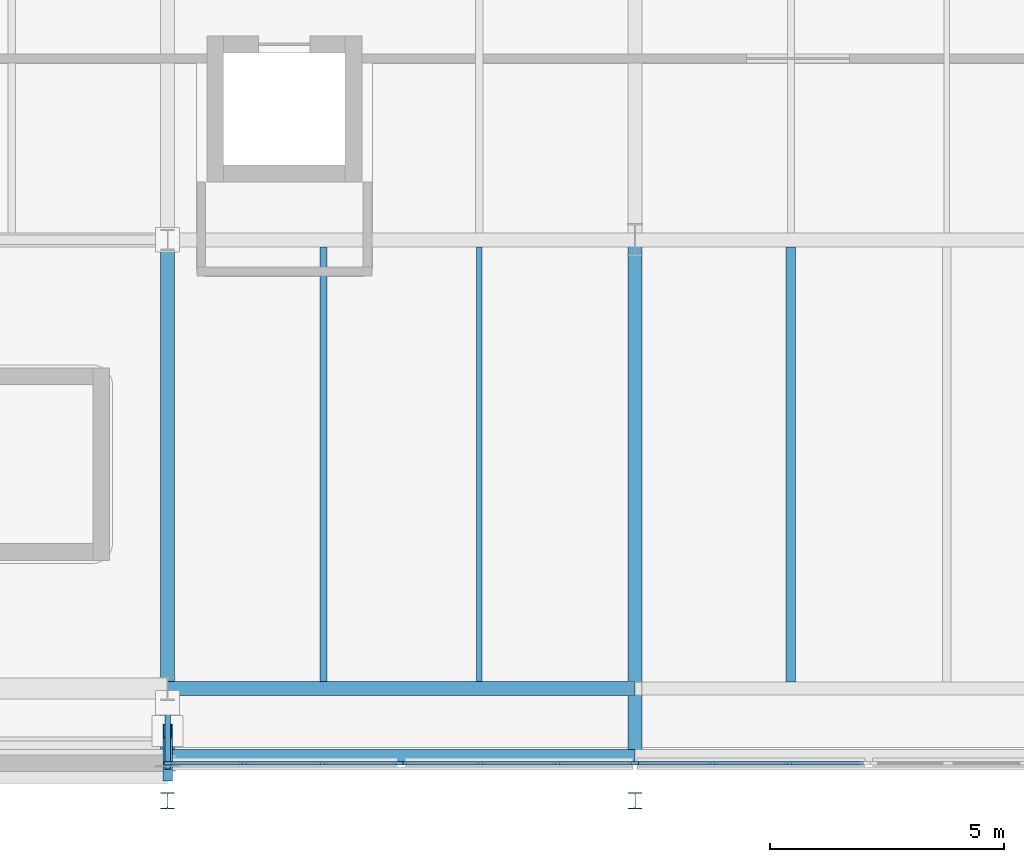
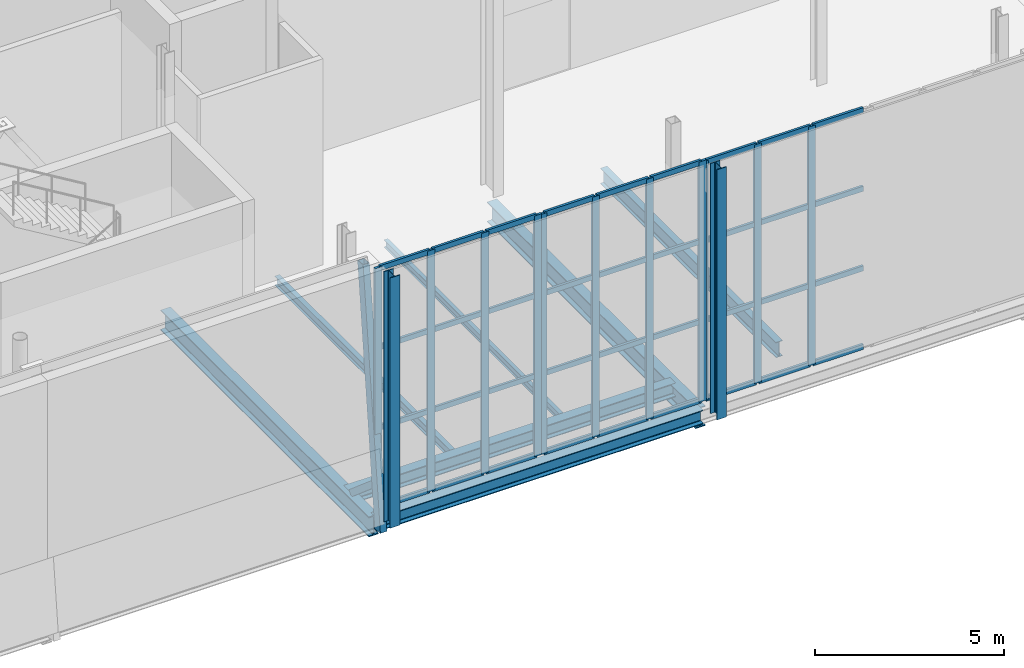
# One storey, part 34 of 79: 51 members, 7 beams, 3 elements without a shape of their own.
"""IFC4 building model written with IfcOpenShell, lengths in metres."""

from ifc_helpers import new_model, si_unit, direction, frame, origin, origin_2d, place, context, subcontext, project, spatial, rectangle, hollow_rectangle, i_section, extrude, material, layer, layer_set, material_profile, profile_set, type_object, element, aggregate, save


model = new_model("IFC4")

# Units and contexts
model_context = context("Model", 3, precision=1e-05, world=origin(), true_north=direction((0.0, 1.0)))
body_context = subcontext(model_context, "Body", "Model", "MODEL_VIEW")
ifc_project = project(units=[si_unit("LENGTHUNIT", "METRE"), si_unit("AREAUNIT", "SQUARE_METRE"), si_unit("VOLUMEUNIT", "CUBIC_METRE"), si_unit("PLANEANGLEUNIT", "RADIAN"), si_unit("MASSUNIT", "GRAM", prefix="KILO")], contexts=[model_context])

# Site, building, storey
site_placement = place(None, origin())
site = spatial("IfcSite", under=ifc_project, at=site_placement, CompositionType="ELEMENT")
building_placement = place(site_placement, origin())
building = spatial("IfcBuilding", under=site, at=building_placement, Name="Zereglee Splitstone Museum", CompositionType="ELEMENT")
storey_placement = place(building_placement, frame((0.0, 0.0, 9.0)))
storey = spatial("IfcBuildingStorey", under=building, at=storey_placement, Name="L02", CompositionType="ELEMENT", Elevation=9.0)

# Curtain wall, members
ifc_material_1 = material(Name="Triple-glazed low-E argon glass and bronze-anodised aluminium", Category="aluminium")
ifc_layer_1 = layer(ifc_material_1, 0.219970703125)
ifc_layer_set_1 = layer_set([ifc_layer_1], Name="Triple-glazed low-E argon glass and bronze-anodised aluminium")
curtain_wall_type_1 = type_object("IfcCurtainWallType", Name="CW-0496-780", PredefinedType="USERDEFINED", material=ifc_layer_set_1)
curtain_wall_1_placement = place(storey_placement, origin())
curtain_wall_1 = element("IfcCurtainWall", 1, at=curtain_wall_1_placement, inside=storey, type_object=curtain_wall_type_1, Name="Glazed Curtain Wall CW-0496-780 (L02)", ObjectType="GLAZED CURTAIN WALL", PredefinedType="USERDEFINED")
ifc_material_2 = material(Name="Thermally broken bronze-anodised aluminium", Category="aluminium")
ifc_material_profile_1 = material_profile(ifc_material_2, rectangle(XDim=0.074951171875, YDim=0.219970703125, at=origin_2d()), Name="CW MULL 75x220")
ifc_profile_set_1 = profile_set([ifc_material_profile_1], Name="Thermally broken bronze-anodised aluminium")
member_type_1 = type_object("IfcMemberType", Name="CWM-02", PredefinedType="MULLION", material=ifc_profile_set_1)
member_1_placement = place(storey_placement, frame((195.237548828125, -1.60009765625, 0.0), z_axis=(0.0, 0.0, 1.0), x_axis=(0.0, 1.0, 0.0)))
member_1 = element("IfcMember", 2, at=member_1_placement, type_object=member_type_1, Name="CW-0496-780 mullion 1", PredefinedType="MULLION", context=body_context, shape_type="SweptSolid", body=[
    extrude(rectangle(XDim=0.074951171875, YDim=0.219970703125, at=origin_2d()), origin(), (0.0, 0.0, 1.0), 7.800048828125),
])
member_2_placement = place(storey_placement, frame((196.853271484375, -1.60009765625, 0.0), z_axis=(0.0, 0.0, 1.0), x_axis=(0.0, 1.0, 0.0)))
member_2 = element("IfcMember", 3, at=member_2_placement, type_object=member_type_1, Name="CW-0496-780 mullion 2", PredefinedType="MULLION", context=body_context, shape_type="SweptSolid", body=[
    extrude(rectangle(XDim=0.074951171875, YDim=0.219970703125, at=origin_2d()), origin(), (0.0, 0.0, 1.0), 7.800048828125),
])
member_3_placement = place(storey_placement, frame((198.506591796875, -1.60009765625, 0.0), z_axis=(0.0, 0.0, 1.0), x_axis=(0.0, 1.0, 0.0)))
member_3 = element("IfcMember", 4, at=member_3_placement, type_object=member_type_1, Name="CW-0496-780 mullion 3", PredefinedType="MULLION", context=body_context, shape_type="SweptSolid", body=[
    extrude(rectangle(XDim=0.074951171875, YDim=0.219970703125, at=origin_2d()), origin(), (0.0, 0.0, 1.0), 7.800048828125),
])
member_4_placement = place(storey_placement, frame((200.12255859375, -1.60009765625, 0.0), z_axis=(0.0, 0.0, 1.0), x_axis=(0.0, 1.0, 0.0)))
member_4 = element("IfcMember", 5, at=member_4_placement, type_object=member_type_1, Name="CW-0496-780 mullion 4", PredefinedType="MULLION", context=body_context, shape_type="SweptSolid", body=[
    extrude(rectangle(XDim=0.074951171875, YDim=0.219970703125, at=origin_2d()), origin(), (0.0, 0.0, 1.0), 7.800048828125),
])

ifc_layer_2 = layer(ifc_material_1, 0.219970703125)
ifc_layer_set_2 = layer_set([ifc_layer_2], Name="Triple-glazed low-E argon glass and bronze-anodised aluminium")
curtain_wall_type_2 = type_object("IfcCurtainWallType", Name="CW-0496-778", PredefinedType="USERDEFINED", material=ifc_layer_set_2)
curtain_wall_2_placement = place(storey_placement, origin())
curtain_wall_2 = element("IfcCurtainWall", 6, at=curtain_wall_2_placement, inside=storey, type_object=curtain_wall_type_2, Name="Glazed Curtain Wall CW-0496-778 (L02)", ObjectType="GLAZED CURTAIN WALL", PredefinedType="USERDEFINED")
member_5_placement = place(storey_placement, frame((200.277587890625, -1.60009765625, 0.0), z_axis=(0.0, 0.0, 1.0), x_axis=(0.0, 1.0, 0.0)))
member_5 = element("IfcMember", 7, at=member_5_placement, type_object=member_type_1, Name="CW-0496-778 mullion 1", PredefinedType="MULLION", context=body_context, shape_type="SweptSolid", body=[
    extrude(rectangle(XDim=0.074951171875, YDim=0.219970703125, at=origin_2d()), origin(), (0.0, 0.0, 1.0), 7.780029296875),
])
member_6_placement = place(storey_placement, frame((201.893310546875, -1.60009765625, 0.0), z_axis=(0.0, 0.0, 1.0), x_axis=(0.0, 1.0, 0.0)))
member_6 = element("IfcMember", 8, at=member_6_placement, type_object=member_type_1, Name="CW-0496-778 mullion 2", PredefinedType="MULLION", context=body_context, shape_type="SweptSolid", body=[
    extrude(rectangle(XDim=0.074951171875, YDim=0.219970703125, at=origin_2d()), origin(), (0.0, 0.0, 1.0), 7.780029296875),
])
member_7_placement = place(storey_placement, frame((203.546630859375, -1.60009765625, 0.0), z_axis=(0.0, 0.0, 1.0), x_axis=(0.0, 1.0, 0.0)))
member_7 = element("IfcMember", 9, at=member_7_placement, type_object=member_type_1, Name="CW-0496-778 mullion 3", PredefinedType="MULLION", context=body_context, shape_type="SweptSolid", body=[
    extrude(rectangle(XDim=0.074951171875, YDim=0.219970703125, at=origin_2d()), origin(), (0.0, 0.0, 1.0), 7.780029296875),
])
member_8_placement = place(storey_placement, frame((205.16259765625, -1.60009765625, 0.0), z_axis=(0.0, 0.0, 1.0), x_axis=(0.0, 1.0, 0.0)))
member_8 = element("IfcMember", 10, at=member_8_placement, type_object=member_type_1, Name="CW-0496-778 mullion 4", PredefinedType="MULLION", context=body_context, shape_type="SweptSolid", body=[
    extrude(rectangle(XDim=0.074951171875, YDim=0.219970703125, at=origin_2d()), origin(), (0.0, 0.0, 1.0), 7.780029296875),
])

ifc_layer_3 = layer(ifc_material_1, 0.219970703125)
ifc_layer_set_3 = layer_set([ifc_layer_3], Name="Triple-glazed low-E argon glass and bronze-anodised aluminium")
curtain_wall_type_3 = type_object("IfcCurtainWallType", Name="CW-0496-774", PredefinedType="USERDEFINED", material=ifc_layer_set_3)
curtain_wall_3_placement = place(storey_placement, origin())
curtain_wall_3 = element("IfcCurtainWall", 11, at=curtain_wall_3_placement, inside=storey, type_object=curtain_wall_type_3, Name="Glazed Curtain Wall CW-0496-774 (L02)", ObjectType="GLAZED CURTAIN WALL", PredefinedType="USERDEFINED")
member_9_placement = place(storey_placement, frame((205.237548828125, -1.60009765625, 0.0), z_axis=(0.0, 0.0, 1.0), x_axis=(0.0, 1.0, 0.0)))
member_9 = element("IfcMember", 12, at=member_9_placement, type_object=member_type_1, Name="CW-0496-774 mullion 1", PredefinedType="MULLION", context=body_context, shape_type="SweptSolid", body=[
    extrude(rectangle(XDim=0.074951171875, YDim=0.219970703125, at=origin_2d()), origin(), (0.0, 0.0, 1.0), 7.739990234375),
])
member_10_placement = place(storey_placement, frame((206.853271484375, -1.60009765625, 0.0), z_axis=(0.0, 0.0, 1.0), x_axis=(0.0, 1.0, 0.0)))
member_10 = element("IfcMember", 13, at=member_10_placement, type_object=member_type_1, Name="CW-0496-774 mullion 2", PredefinedType="MULLION", context=body_context, shape_type="SweptSolid", body=[
    extrude(rectangle(XDim=0.074951171875, YDim=0.219970703125, at=origin_2d()), origin(), (0.0, 0.0, 1.0), 7.739990234375),
])
member_11_placement = place(storey_placement, frame((208.506591796875, -1.60009765625, 0.0), z_axis=(0.0, 0.0, 1.0), x_axis=(0.0, 1.0, 0.0)))
member_11 = element("IfcMember", 14, at=member_11_placement, type_object=member_type_1, Name="CW-0496-774 mullion 3", PredefinedType="MULLION", context=body_context, shape_type="SweptSolid", body=[
    extrude(rectangle(XDim=0.074951171875, YDim=0.219970703125, at=origin_2d()), origin(), (0.0, 0.0, 1.0), 7.739990234375),
])

# Member
ifc_material_profile_2 = material_profile(ifc_material_2, rectangle(XDim=0.074951171875, YDim=0.1650390625, at=origin_2d()), Name="CW TRAN 75x165")
ifc_profile_set_2 = profile_set([ifc_material_profile_2], Name="Thermally broken bronze-anodised aluminium")
member_type_2 = type_object("IfcMemberType", Name="CWT-02", PredefinedType="USERDEFINED", material=ifc_profile_set_2)
member_12_placement = place(storey_placement, frame((195.27490234375, -1.60009765625, 0.03759765625), z_axis=(1.0, 0.0, 0.0), x_axis=(0.0, 1.0, 0.0)))
member_12 = element("IfcMember", 15, at=member_12_placement, type_object=member_type_2, Name="CW-0496-780 transom 1.1", ObjectType="TRANSOM", PredefinedType="USERDEFINED", context=body_context, shape_type="SweptSolid", body=[
    extrude(rectangle(XDim=0.074951171875, YDim=0.1650390625, at=origin_2d()), origin(), (0.0, 0.0, 1.0), 1.541015625),
])

member_13_placement = place(storey_placement, frame((195.27490234375, -1.60009765625, 2.60009765625), z_axis=(1.0, 0.0, 0.0), x_axis=(0.0, 1.0, 0.0)))
member_13 = element("IfcMember", 16, at=member_13_placement, type_object=member_type_2, Name="CW-0496-780 transom 1.2", ObjectType="TRANSOM", PredefinedType="USERDEFINED", context=body_context, shape_type="SweptSolid", body=[
    extrude(rectangle(XDim=0.074951171875, YDim=0.1650390625, at=origin_2d()), origin(), (0.0, 0.0, 1.0), 1.541015625),
])

member_14_placement = place(storey_placement, frame((195.27490234375, -1.60009765625, 5.199951171875), z_axis=(1.0, 0.0, 0.0), x_axis=(0.0, 1.0, 0.0)))
member_14 = element("IfcMember", 17, at=member_14_placement, type_object=member_type_2, Name="CW-0496-780 transom 1.3", ObjectType="TRANSOM", PredefinedType="USERDEFINED", context=body_context, shape_type="SweptSolid", body=[
    extrude(rectangle(XDim=0.074951171875, YDim=0.1650390625, at=origin_2d()), origin(), (0.0, 0.0, 1.0), 1.541015625),
])

member_15_placement = place(storey_placement, frame((195.27490234375, -1.60009765625, 7.762451171875), z_axis=(1.0, 0.0, 0.0), x_axis=(0.0, 1.0, 0.0)))
member_15 = element("IfcMember", 18, at=member_15_placement, type_object=member_type_2, Name="CW-0496-780 transom 1.4", ObjectType="TRANSOM", PredefinedType="USERDEFINED", context=body_context, shape_type="SweptSolid", body=[
    extrude(rectangle(XDim=0.074951171875, YDim=0.1650390625, at=origin_2d()), origin(), (0.0, 0.0, 1.0), 1.541015625),
])

member_16_placement = place(storey_placement, frame((196.890869140625, -1.60009765625, 0.03759765625), z_axis=(1.0, 0.0, 0.0), x_axis=(0.0, 1.0, 0.0)))
member_16 = element("IfcMember", 19, at=member_16_placement, type_object=member_type_2, Name="CW-0496-780 transom 2.1", ObjectType="TRANSOM", PredefinedType="USERDEFINED", context=body_context, shape_type="SweptSolid", body=[
    extrude(rectangle(XDim=0.074951171875, YDim=0.1650390625, at=origin_2d()), origin(), (0.0, 0.0, 1.0), 1.578369140625),
])

member_17_placement = place(storey_placement, frame((196.890869140625, -1.60009765625, 2.60009765625), z_axis=(1.0, 0.0, 0.0), x_axis=(0.0, 1.0, 0.0)))
member_17 = element("IfcMember", 20, at=member_17_placement, type_object=member_type_2, Name="CW-0496-780 transom 2.2", ObjectType="TRANSOM", PredefinedType="USERDEFINED", context=body_context, shape_type="SweptSolid", body=[
    extrude(rectangle(XDim=0.074951171875, YDim=0.1650390625, at=origin_2d()), origin(), (0.0, 0.0, 1.0), 1.578369140625),
])

member_18_placement = place(storey_placement, frame((196.890869140625, -1.60009765625, 5.199951171875), z_axis=(1.0, 0.0, 0.0), x_axis=(0.0, 1.0, 0.0)))
member_18 = element("IfcMember", 21, at=member_18_placement, type_object=member_type_2, Name="CW-0496-780 transom 2.3", ObjectType="TRANSOM", PredefinedType="USERDEFINED", context=body_context, shape_type="SweptSolid", body=[
    extrude(rectangle(XDim=0.074951171875, YDim=0.1650390625, at=origin_2d()), origin(), (0.0, 0.0, 1.0), 1.578369140625),
])

member_19_placement = place(storey_placement, frame((196.890869140625, -1.60009765625, 7.762451171875), z_axis=(1.0, 0.0, 0.0), x_axis=(0.0, 1.0, 0.0)))
member_19 = element("IfcMember", 22, at=member_19_placement, type_object=member_type_2, Name="CW-0496-780 transom 2.4", ObjectType="TRANSOM", PredefinedType="USERDEFINED", context=body_context, shape_type="SweptSolid", body=[
    extrude(rectangle(XDim=0.074951171875, YDim=0.1650390625, at=origin_2d()), origin(), (0.0, 0.0, 1.0), 1.578369140625),
])

member_20_placement = place(storey_placement, frame((198.544189453125, -1.60009765625, 0.03759765625), z_axis=(1.0, 0.0, 0.0), x_axis=(0.0, 1.0, 0.0)))
member_20 = element("IfcMember", 23, at=member_20_placement, type_object=member_type_2, Name="CW-0496-780 transom 3.1", ObjectType="TRANSOM", PredefinedType="USERDEFINED", context=body_context, shape_type="SweptSolid", body=[
    extrude(rectangle(XDim=0.074951171875, YDim=0.1650390625, at=origin_2d()), origin(), (0.0, 0.0, 1.0), 1.540771484375),
])

member_21_placement = place(storey_placement, frame((198.544189453125, -1.60009765625, 2.60009765625), z_axis=(1.0, 0.0, 0.0), x_axis=(0.0, 1.0, 0.0)))
member_21 = element("IfcMember", 24, at=member_21_placement, type_object=member_type_2, Name="CW-0496-780 transom 3.2", ObjectType="TRANSOM", PredefinedType="USERDEFINED", context=body_context, shape_type="SweptSolid", body=[
    extrude(rectangle(XDim=0.074951171875, YDim=0.1650390625, at=origin_2d()), origin(), (0.0, 0.0, 1.0), 1.540771484375),
])

member_22_placement = place(storey_placement, frame((198.544189453125, -1.60009765625, 5.199951171875), z_axis=(1.0, 0.0, 0.0), x_axis=(0.0, 1.0, 0.0)))
member_22 = element("IfcMember", 25, at=member_22_placement, type_object=member_type_2, Name="CW-0496-780 transom 3.3", ObjectType="TRANSOM", PredefinedType="USERDEFINED", context=body_context, shape_type="SweptSolid", body=[
    extrude(rectangle(XDim=0.074951171875, YDim=0.1650390625, at=origin_2d()), origin(), (0.0, 0.0, 1.0), 1.540771484375),
])

member_23_placement = place(storey_placement, frame((198.544189453125, -1.60009765625, 7.762451171875), z_axis=(1.0, 0.0, 0.0), x_axis=(0.0, 1.0, 0.0)))
member_23 = element("IfcMember", 26, at=member_23_placement, type_object=member_type_2, Name="CW-0496-780 transom 3.4", ObjectType="TRANSOM", PredefinedType="USERDEFINED", context=body_context, shape_type="SweptSolid", body=[
    extrude(rectangle(XDim=0.074951171875, YDim=0.1650390625, at=origin_2d()), origin(), (0.0, 0.0, 1.0), 1.540771484375),
])

aggregate(curtain_wall_1, [member_1, member_2, member_3, member_4, member_12, member_13, member_14, member_15, member_16, member_17, member_18, member_19, member_20, member_21, member_22, member_23])

member_24_placement = place(storey_placement, frame((200.31494140625, -1.60009765625, 0.03759765625), z_axis=(1.0, 0.0, 0.0), x_axis=(0.0, 1.0, 0.0)))
member_24 = element("IfcMember", 27, at=member_24_placement, type_object=member_type_2, Name="CW-0496-778 transom 1.1", ObjectType="TRANSOM", PredefinedType="USERDEFINED", context=body_context, shape_type="SweptSolid", body=[
    extrude(rectangle(XDim=0.074951171875, YDim=0.1650390625, at=origin_2d()), origin(), (0.0, 0.0, 1.0), 1.540771484375),
])

member_25_placement = place(storey_placement, frame((200.31494140625, -1.60009765625, 2.59326171875), z_axis=(1.0, 0.0, 0.0), x_axis=(0.0, 1.0, 0.0)))
member_25 = element("IfcMember", 28, at=member_25_placement, type_object=member_type_2, Name="CW-0496-778 transom 1.2", ObjectType="TRANSOM", PredefinedType="USERDEFINED", context=body_context, shape_type="SweptSolid", body=[
    extrude(rectangle(XDim=0.074951171875, YDim=0.1650390625, at=origin_2d()), origin(), (0.0, 0.0, 1.0), 1.540771484375),
])

member_26_placement = place(storey_placement, frame((200.31494140625, -1.60009765625, 5.186767578125), z_axis=(1.0, 0.0, 0.0), x_axis=(0.0, 1.0, 0.0)))
member_26 = element("IfcMember", 29, at=member_26_placement, type_object=member_type_2, Name="CW-0496-778 transom 1.3", ObjectType="TRANSOM", PredefinedType="USERDEFINED", context=body_context, shape_type="SweptSolid", body=[
    extrude(rectangle(XDim=0.074951171875, YDim=0.1650390625, at=origin_2d()), origin(), (0.0, 0.0, 1.0), 1.540771484375),
])

member_27_placement = place(storey_placement, frame((200.31494140625, -1.60009765625, 7.742431640625), z_axis=(1.0, 0.0, 0.0), x_axis=(0.0, 1.0, 0.0)))
member_27 = element("IfcMember", 30, at=member_27_placement, type_object=member_type_2, Name="CW-0496-778 transom 1.4", ObjectType="TRANSOM", PredefinedType="USERDEFINED", context=body_context, shape_type="SweptSolid", body=[
    extrude(rectangle(XDim=0.074951171875, YDim=0.1650390625, at=origin_2d()), origin(), (0.0, 0.0, 1.0), 1.540771484375),
])

member_28_placement = place(storey_placement, frame((201.930908203125, -1.60009765625, 0.03759765625), z_axis=(1.0, 0.0, 0.0), x_axis=(0.0, 1.0, 0.0)))
member_28 = element("IfcMember", 31, at=member_28_placement, type_object=member_type_2, Name="CW-0496-778 transom 2.1", ObjectType="TRANSOM", PredefinedType="USERDEFINED", context=body_context, shape_type="SweptSolid", body=[
    extrude(rectangle(XDim=0.074951171875, YDim=0.1650390625, at=origin_2d()), origin(), (0.0, 0.0, 1.0), 1.578369140625),
])

member_29_placement = place(storey_placement, frame((201.930908203125, -1.60009765625, 2.59326171875), z_axis=(1.0, 0.0, 0.0), x_axis=(0.0, 1.0, 0.0)))
member_29 = element("IfcMember", 32, at=member_29_placement, type_object=member_type_2, Name="CW-0496-778 transom 2.2", ObjectType="TRANSOM", PredefinedType="USERDEFINED", context=body_context, shape_type="SweptSolid", body=[
    extrude(rectangle(XDim=0.074951171875, YDim=0.1650390625, at=origin_2d()), origin(), (0.0, 0.0, 1.0), 1.578369140625),
])

member_30_placement = place(storey_placement, frame((201.930908203125, -1.60009765625, 5.186767578125), z_axis=(1.0, 0.0, 0.0), x_axis=(0.0, 1.0, 0.0)))
member_30 = element("IfcMember", 33, at=member_30_placement, type_object=member_type_2, Name="CW-0496-778 transom 2.3", ObjectType="TRANSOM", PredefinedType="USERDEFINED", context=body_context, shape_type="SweptSolid", body=[
    extrude(rectangle(XDim=0.074951171875, YDim=0.1650390625, at=origin_2d()), origin(), (0.0, 0.0, 1.0), 1.578369140625),
])

member_31_placement = place(storey_placement, frame((201.930908203125, -1.60009765625, 7.742431640625), z_axis=(1.0, 0.0, 0.0), x_axis=(0.0, 1.0, 0.0)))
member_31 = element("IfcMember", 34, at=member_31_placement, type_object=member_type_2, Name="CW-0496-778 transom 2.4", ObjectType="TRANSOM", PredefinedType="USERDEFINED", context=body_context, shape_type="SweptSolid", body=[
    extrude(rectangle(XDim=0.074951171875, YDim=0.1650390625, at=origin_2d()), origin(), (0.0, 0.0, 1.0), 1.578369140625),
])

member_32_placement = place(storey_placement, frame((203.584228515625, -1.60009765625, 0.03759765625), z_axis=(1.0, 0.0, 0.0), x_axis=(0.0, 1.0, 0.0)))
member_32 = element("IfcMember", 35, at=member_32_placement, type_object=member_type_2, Name="CW-0496-778 transom 3.1", ObjectType="TRANSOM", PredefinedType="USERDEFINED", context=body_context, shape_type="SweptSolid", body=[
    extrude(rectangle(XDim=0.074951171875, YDim=0.1650390625, at=origin_2d()), origin(), (0.0, 0.0, 1.0), 1.540771484375),
])

member_33_placement = place(storey_placement, frame((203.584228515625, -1.60009765625, 2.59326171875), z_axis=(1.0, 0.0, 0.0), x_axis=(0.0, 1.0, 0.0)))
member_33 = element("IfcMember", 36, at=member_33_placement, type_object=member_type_2, Name="CW-0496-778 transom 3.2", ObjectType="TRANSOM", PredefinedType="USERDEFINED", context=body_context, shape_type="SweptSolid", body=[
    extrude(rectangle(XDim=0.074951171875, YDim=0.1650390625, at=origin_2d()), origin(), (0.0, 0.0, 1.0), 1.540771484375),
])

member_34_placement = place(storey_placement, frame((203.584228515625, -1.60009765625, 5.186767578125), z_axis=(1.0, 0.0, 0.0), x_axis=(0.0, 1.0, 0.0)))
member_34 = element("IfcMember", 37, at=member_34_placement, type_object=member_type_2, Name="CW-0496-778 transom 3.3", ObjectType="TRANSOM", PredefinedType="USERDEFINED", context=body_context, shape_type="SweptSolid", body=[
    extrude(rectangle(XDim=0.074951171875, YDim=0.1650390625, at=origin_2d()), origin(), (0.0, 0.0, 1.0), 1.540771484375),
])

member_35_placement = place(storey_placement, frame((203.584228515625, -1.60009765625, 7.742431640625), z_axis=(1.0, 0.0, 0.0), x_axis=(0.0, 1.0, 0.0)))
member_35 = element("IfcMember", 38, at=member_35_placement, type_object=member_type_2, Name="CW-0496-778 transom 3.4", ObjectType="TRANSOM", PredefinedType="USERDEFINED", context=body_context, shape_type="SweptSolid", body=[
    extrude(rectangle(XDim=0.074951171875, YDim=0.1650390625, at=origin_2d()), origin(), (0.0, 0.0, 1.0), 1.540771484375),
])

aggregate(curtain_wall_2, [member_5, member_6, member_7, member_8, member_24, member_25, member_26, member_27, member_28, member_29, member_30, member_31, member_32, member_33, member_34, member_35])

member_36_placement = place(storey_placement, frame((205.27490234375, -1.60009765625, 0.03759765625), z_axis=(1.0, 0.0, 0.0), x_axis=(0.0, 1.0, 0.0)))
member_36 = element("IfcMember", 39, at=member_36_placement, type_object=member_type_2, Name="CW-0496-774 transom 1.1", ObjectType="TRANSOM", PredefinedType="USERDEFINED", context=body_context, shape_type="SweptSolid", body=[
    extrude(rectangle(XDim=0.074951171875, YDim=0.1650390625, at=origin_2d()), origin(), (0.0, 0.0, 1.0), 1.541015625),
])

member_37_placement = place(storey_placement, frame((205.27490234375, -1.60009765625, 2.580078125), z_axis=(1.0, 0.0, 0.0), x_axis=(0.0, 1.0, 0.0)))
member_37 = element("IfcMember", 40, at=member_37_placement, type_object=member_type_2, Name="CW-0496-774 transom 1.2", ObjectType="TRANSOM", PredefinedType="USERDEFINED", context=body_context, shape_type="SweptSolid", body=[
    extrude(rectangle(XDim=0.074951171875, YDim=0.1650390625, at=origin_2d()), origin(), (0.0, 0.0, 1.0), 1.541015625),
])

member_38_placement = place(storey_placement, frame((205.27490234375, -1.60009765625, 5.159912109375), z_axis=(1.0, 0.0, 0.0), x_axis=(0.0, 1.0, 0.0)))
member_38 = element("IfcMember", 41, at=member_38_placement, type_object=member_type_2, Name="CW-0496-774 transom 1.3", ObjectType="TRANSOM", PredefinedType="USERDEFINED", context=body_context, shape_type="SweptSolid", body=[
    extrude(rectangle(XDim=0.074951171875, YDim=0.1650390625, at=origin_2d()), origin(), (0.0, 0.0, 1.0), 1.541015625),
])

member_39_placement = place(storey_placement, frame((205.27490234375, -1.60009765625, 7.702392578125), z_axis=(1.0, 0.0, 0.0), x_axis=(0.0, 1.0, 0.0)))
member_39 = element("IfcMember", 42, at=member_39_placement, type_object=member_type_2, Name="CW-0496-774 transom 1.4", ObjectType="TRANSOM", PredefinedType="USERDEFINED", context=body_context, shape_type="SweptSolid", body=[
    extrude(rectangle(XDim=0.074951171875, YDim=0.1650390625, at=origin_2d()), origin(), (0.0, 0.0, 1.0), 1.541015625),
])

member_40_placement = place(storey_placement, frame((206.890869140625, -1.60009765625, 0.03759765625), z_axis=(1.0, 0.0, 0.0), x_axis=(0.0, 1.0, 0.0)))
member_40 = element("IfcMember", 43, at=member_40_placement, type_object=member_type_2, Name="CW-0496-774 transom 2.1", ObjectType="TRANSOM", PredefinedType="USERDEFINED", context=body_context, shape_type="SweptSolid", body=[
    extrude(rectangle(XDim=0.074951171875, YDim=0.1650390625, at=origin_2d()), origin(), (0.0, 0.0, 1.0), 1.578369140625),
])

member_41_placement = place(storey_placement, frame((206.890869140625, -1.60009765625, 2.580078125), z_axis=(1.0, 0.0, 0.0), x_axis=(0.0, 1.0, 0.0)))
member_41 = element("IfcMember", 44, at=member_41_placement, type_object=member_type_2, Name="CW-0496-774 transom 2.2", ObjectType="TRANSOM", PredefinedType="USERDEFINED", context=body_context, shape_type="SweptSolid", body=[
    extrude(rectangle(XDim=0.074951171875, YDim=0.1650390625, at=origin_2d()), origin(), (0.0, 0.0, 1.0), 1.578369140625),
])

member_42_placement = place(storey_placement, frame((206.890869140625, -1.60009765625, 5.159912109375), z_axis=(1.0, 0.0, 0.0), x_axis=(0.0, 1.0, 0.0)))
member_42 = element("IfcMember", 45, at=member_42_placement, type_object=member_type_2, Name="CW-0496-774 transom 2.3", ObjectType="TRANSOM", PredefinedType="USERDEFINED", context=body_context, shape_type="SweptSolid", body=[
    extrude(rectangle(XDim=0.074951171875, YDim=0.1650390625, at=origin_2d()), origin(), (0.0, 0.0, 1.0), 1.578369140625),
])

member_43_placement = place(storey_placement, frame((206.890869140625, -1.60009765625, 7.702392578125), z_axis=(1.0, 0.0, 0.0), x_axis=(0.0, 1.0, 0.0)))
member_43 = element("IfcMember", 46, at=member_43_placement, type_object=member_type_2, Name="CW-0496-774 transom 2.4", ObjectType="TRANSOM", PredefinedType="USERDEFINED", context=body_context, shape_type="SweptSolid", body=[
    extrude(rectangle(XDim=0.074951171875, YDim=0.1650390625, at=origin_2d()), origin(), (0.0, 0.0, 1.0), 1.578369140625),
])

member_44_placement = place(storey_placement, frame((208.544189453125, -1.60009765625, 0.03759765625), z_axis=(1.0, 0.0, 0.0), x_axis=(0.0, 1.0, 0.0)))
member_44 = element("IfcMember", 47, at=member_44_placement, type_object=member_type_2, Name="CW-0496-774 transom 3.1", ObjectType="TRANSOM", PredefinedType="USERDEFINED", context=body_context, shape_type="SweptSolid", body=[
    extrude(rectangle(XDim=0.074951171875, YDim=0.1650390625, at=origin_2d()), origin(), (0.0, 0.0, 1.0), 1.540771484375),
])

member_45_placement = place(storey_placement, frame((208.544189453125, -1.60009765625, 2.580078125), z_axis=(1.0, 0.0, 0.0), x_axis=(0.0, 1.0, 0.0)))
member_45 = element("IfcMember", 48, at=member_45_placement, type_object=member_type_2, Name="CW-0496-774 transom 3.2", ObjectType="TRANSOM", PredefinedType="USERDEFINED", context=body_context, shape_type="SweptSolid", body=[
    extrude(rectangle(XDim=0.074951171875, YDim=0.1650390625, at=origin_2d()), origin(), (0.0, 0.0, 1.0), 1.540771484375),
])

member_46_placement = place(storey_placement, frame((208.544189453125, -1.60009765625, 5.159912109375), z_axis=(1.0, 0.0, 0.0), x_axis=(0.0, 1.0, 0.0)))
member_46 = element("IfcMember", 49, at=member_46_placement, type_object=member_type_2, Name="CW-0496-774 transom 3.3", ObjectType="TRANSOM", PredefinedType="USERDEFINED", context=body_context, shape_type="SweptSolid", body=[
    extrude(rectangle(XDim=0.074951171875, YDim=0.1650390625, at=origin_2d()), origin(), (0.0, 0.0, 1.0), 1.540771484375),
])

member_47_placement = place(storey_placement, frame((208.544189453125, -1.60009765625, 7.702392578125), z_axis=(1.0, 0.0, 0.0), x_axis=(0.0, 1.0, 0.0)))
member_47 = element("IfcMember", 50, at=member_47_placement, type_object=member_type_2, Name="CW-0496-774 transom 3.4", ObjectType="TRANSOM", PredefinedType="USERDEFINED", context=body_context, shape_type="SweptSolid", body=[
    extrude(rectangle(XDim=0.074951171875, YDim=0.1650390625, at=origin_2d()), origin(), (0.0, 0.0, 1.0), 1.540771484375),
])

aggregate(curtain_wall_3, [member_9, member_10, member_11, member_36, member_37, member_38, member_39, member_40, member_41, member_42, member_43, member_44, member_45, member_46, member_47])

# Members
ifc_material_3 = material(Name="Steel S355J2", Category="steel")
ifc_material_profile_3 = material_profile(ifc_material_3, i_section(OverallWidth=0.300048828125, OverallDepth=0.360107421875, WebThickness=0.012451171875, FlangeThickness=0.0224609375, FilletRadius=0.027099609375, at=origin_2d()), Name="HE 360 B")
ifc_profile_set_3 = profile_set([ifc_material_profile_3], Name="Steel S355J2")
member_type_3 = type_object("IfcMemberType", Name="TC-06", PredefinedType="CHORD", material=ifc_profile_set_3)
for number, where, z_axis, x_axis, name in (
    (51, (195.199951171875, -2.39990234375, 0.0), (0.0, 0.0, 1.0), (1.0, 0.0, 0.0), "Mughal Guldasta Hovering Portal Pier G13 L02"),
    (52, (205.199951171875, -2.39990234375, 0.0), (0.0, 0.0, 1.0), (1.0, 0.0, 0.0), "Mughal Guldasta Hovering Portal Pier G14 L02"),
):
    element("IfcMember", number, at=place(storey_placement, frame(where, z_axis=z_axis, x_axis=x_axis)), inside=storey, type_object=member_type_3, Name=name, PredefinedType="CHORD", context=body_context, shape_type="SweptSolid", body=[
        extrude(i_section(OverallWidth=0.300048828125, OverallDepth=0.360107421875, WebThickness=0.012451171875, FlangeThickness=0.0224609375, FilletRadius=0.027099609375, at=origin_2d()), origin(), (0.0, 0.0, 1.0), 8.10009765625),
    ])

# Beams
ifc_material_profile_4 = material_profile(ifc_material_3, i_section(OverallWidth=0.300048828125, OverallDepth=0.64990234375, WebThickness=0.01611328125, FlangeThickness=0.031005859375, FilletRadius=0.027099609375, at=origin_2d()), Name="HE 650 B")
ifc_profile_set_4 = profile_set([ifc_material_profile_4], Name="Steel S355J2")
beam_type_1 = type_object("IfcBeamType", Name="BG-09", PredefinedType="BEAM", material=ifc_profile_set_4)
for number, where, z_axis, x_axis, name in (
    (53, (195.199951171875, -1.449951171875, -0.64501953125), (0.0, 1.0, 0.0), (-1.0, 0.0, 0.0), "Primary Girder L02 22 (-1.4-9.6)"),
    (54, (205.199951171875, -1.449951171875, -0.64501953125), (0.0, 1.0, 0.0), (-1.0, 0.0, 0.0), "Primary Girder L02 23 (-1.4-9.6)"),
):
    element("IfcBeam", number, at=place(storey_placement, frame(where, z_axis=z_axis, x_axis=x_axis)), inside=storey, type_object=beam_type_1, Name=name, PredefinedType="BEAM", context=body_context, shape_type="SweptSolid", body=[
        extrude(i_section(OverallWidth=0.300048828125, OverallDepth=0.64990234375, WebThickness=0.01611328125, FlangeThickness=0.031005859375, FilletRadius=0.027099609375, at=origin_2d()), origin(), (0.0, 0.0, 1.0), 11.050048828125),
    ])
ifc_material_profile_5 = material_profile(ifc_material_3, i_section(OverallWidth=0.1201171875, OverallDepth=0.239990234375, WebThickness=0.006103515625, FlangeThickness=0.009765625, FilletRadius=0.014892578125, at=origin_2d()), Name="IPE 240")
ifc_profile_set_5 = profile_set([ifc_material_profile_5], Name="Steel S355J2")
beam_type_2 = type_object("IfcBeamType", Name="BJ-07", PredefinedType="JOIST", material=ifc_profile_set_5)
beam_1_placement = place(storey_placement, frame((201.86669921875, 0.14990234375, -0.43994140625), z_axis=(0.0, 1.0, 0.0), x_axis=(-1.0, 0.0, 0.0)))
element("IfcBeam", 55, at=beam_1_placement, inside=storey, type_object=beam_type_2, Name="Secondary Floor Joist L02-1042", PredefinedType="JOIST", context=body_context, shape_type="SweptSolid", body=[
    extrude(i_section(OverallWidth=0.1201171875, OverallDepth=0.239990234375, WebThickness=0.006103515625, FlangeThickness=0.009765625, FilletRadius=0.014892578125, at=origin_2d()), origin(), (0.0, 0.0, 1.0), 9.300048828125),
])
ifc_material_profile_6 = material_profile(ifc_material_3, i_section(OverallWidth=0.14990234375, OverallDepth=0.300048828125, WebThickness=0.007080078125, FlangeThickness=0.0107421875, FilletRadius=0.014892578125, at=origin_2d()), Name="IPE 300")
ifc_profile_set_6 = profile_set([ifc_material_profile_6], Name="Steel S355J2")
beam_type_3 = type_object("IfcBeamType", Name="BJ-06", PredefinedType="JOIST", material=ifc_profile_set_6)
beam_2_placement = place(storey_placement, frame((198.533203125, 0.14990234375, -0.469970703125), z_axis=(0.0, 1.0, 0.0), x_axis=(-1.0, 0.0, 0.0)))
element("IfcBeam", 56, at=beam_2_placement, inside=storey, type_object=beam_type_3, Name="Secondary Floor Joist L02-1041", PredefinedType="JOIST", context=body_context, shape_type="SweptSolid", body=[
    extrude(i_section(OverallWidth=0.14990234375, OverallDepth=0.300048828125, WebThickness=0.007080078125, FlangeThickness=0.0107421875, FilletRadius=0.014892578125, at=origin_2d()), origin(), (0.0, 0.0, 1.0), 9.300048828125),
])
ifc_material_profile_7 = material_profile(ifc_material_3, i_section(OverallWidth=0.199951171875, OverallDepth=0.5, WebThickness=0.01025390625, FlangeThickness=0.01611328125, FilletRadius=0.02099609375, at=origin_2d()), Name="IPE 500")
ifc_profile_set_7 = profile_set([ifc_material_profile_7], Name="Steel S355J2")
beam_type_4 = type_object("IfcBeamType", Name="BJ-01", PredefinedType="JOIST", material=ifc_profile_set_7)
beam_3_placement = place(storey_placement, frame((208.533203125, 0.139892578125, -0.570068359375), z_axis=(0.0, 1.0, 0.0), x_axis=(-1.0, 0.0, 0.0)))
element("IfcBeam", 57, at=beam_3_placement, inside=storey, type_object=beam_type_4, Name="Secondary Floor Joist L02-1043", PredefinedType="JOIST", context=body_context, shape_type="SweptSolid", body=[
    extrude(i_section(OverallWidth=0.199951171875, OverallDepth=0.5, WebThickness=0.01025390625, FlangeThickness=0.01611328125, FilletRadius=0.02099609375, at=origin_2d()), origin(), (0.0, 0.0, 1.0), 9.31005859375),
])
ifc_material_profile_8 = material_profile(ifc_material_3, i_section(OverallWidth=0.300048828125, OverallDepth=0.449951171875, WebThickness=0.013916015625, FlangeThickness=0.02587890625, FilletRadius=0.027099609375, at=origin_2d()), Name="HE 450 B")
ifc_profile_set_8 = profile_set([ifc_material_profile_8], Name="Steel S355J2")
beam_type_5 = type_object("IfcBeamType", Name="SP-02", PredefinedType="SPANDREL", material=ifc_profile_set_8)
for number, where, z_axis, x_axis, name in (
    (58, (195.199951171875, 0.0, -0.544921875), (1.0, 0.0, 0.0), (0.0, 1.0, 0.0), "Primary Girder L02 A (195.2-205.2)"),
    (59, (195.199951171875, -1.449951171875, -0.544921875), (1.0, 0.0, 0.0), (0.0, 1.0, 0.0), "Hovering Soffit Spandrel L02 (195.2-205.2)"),
):
    element("IfcBeam", number, at=place(storey_placement, frame(where, z_axis=z_axis, x_axis=x_axis)), inside=storey, type_object=beam_type_5, Name=name, PredefinedType="SPANDREL", context=body_context, shape_type="SweptSolid", body=[
        extrude(i_section(OverallWidth=0.300048828125, OverallDepth=0.449951171875, WebThickness=0.013916015625, FlangeThickness=0.02587890625, FilletRadius=0.027099609375, at=origin_2d()), origin(), (0.0, 0.0, 1.0), 10.0),
    ])

# Members
ifc_material_4 = material(Name="Steel S355J2H", Category="steel")
ifc_material_profile_9 = material_profile(ifc_material_4, hollow_rectangle(XDim=0.199951171875, YDim=0.300048828125, WallThickness=0.012451171875, at=origin_2d()), Name="RHS 300x200x12.5")
ifc_profile_set_9 = profile_set([ifc_material_profile_9], Name="Steel S355J2H")
member_type_4 = type_object("IfcMemberType", Name="FS-R1", PredefinedType="STRUT", material=ifc_profile_set_9)
member_48_placement = place(storey_placement, frame((195.199951171875, -1.823974609375, -0.570068359375), z_axis=(0.0, 0.111942663622, 0.993714667327), x_axis=(-1.0, 0.0, 0.0)))
element("IfcMember", 60, at=member_48_placement, inside=storey, type_object=member_type_4, Name="Split-Rock Continuous Facet Strut FH-V3S L02-03", PredefinedType="STRUT", context=body_context, shape_type="SweptSolid", body=[
    extrude(hollow_rectangle(XDim=0.199951171875, YDim=0.300048828125, WallThickness=0.012451171875, at=origin_2d()), origin(), (0.0, 0.0, 1.0), 8.191650390625),
])
ifc_material_profile_10 = material_profile(ifc_material_4, hollow_rectangle(XDim=0.1201171875, YDim=0.199951171875, WallThickness=0.008056640625, at=origin_2d()), Name="RHS 200x120x8")
ifc_profile_set_10 = profile_set([ifc_material_profile_10], Name="Steel S355J2H")
member_type_5 = type_object("IfcMemberType", Name="FS-T1", PredefinedType="STRUT", material=ifc_profile_set_10)
member_49_placement = place(storey_placement, frame((195.199951171875, -0.300048828125, -0.280029296875), z_axis=(0.0, -0.760998513452, 0.648753622359), x_axis=(1.0, 0.0, 0.0)))
element("IfcMember", 61, at=member_49_placement, inside=storey, type_object=member_type_5, Name="Facet Tie-Back Strut FH-V3S L02-03", PredefinedType="STRUT", context=body_context, shape_type="SweptSolid", body=[
    extrude(hollow_rectangle(XDim=0.1201171875, YDim=0.199951171875, WallThickness=0.008056640625, at=origin_2d()), origin(), (0.0, 0.0, 1.0), 1.787841796875),
])

save(model, "model.ifc")
